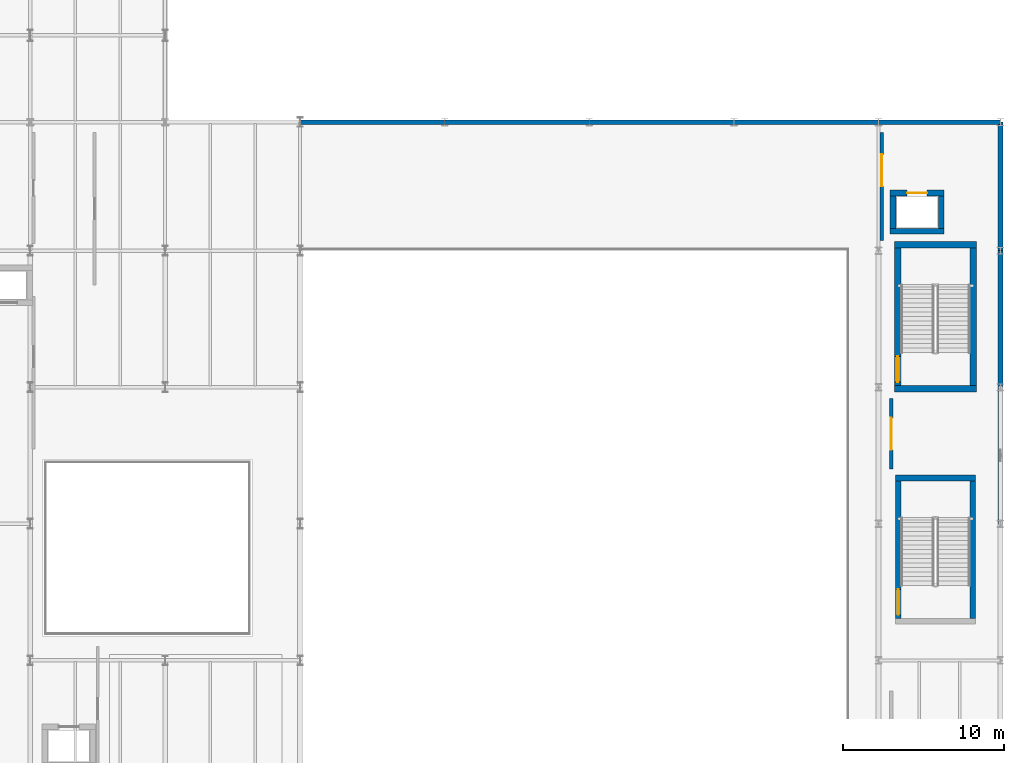
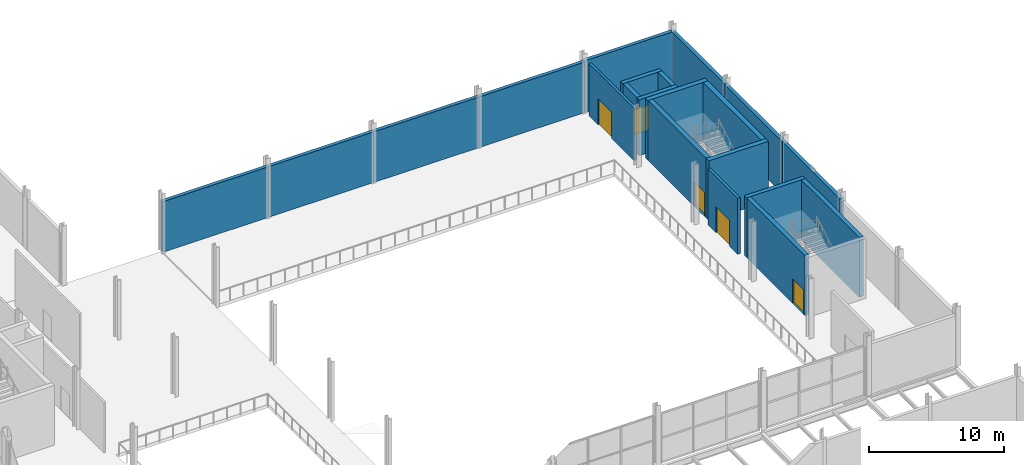
# One storey, part 59 of 78: 21 walls, 5 doors, 5 openings.
"""IFC4 building model written with IfcOpenShell, lengths in metres."""

from ifc_helpers import new_model, si_unit, direction, frame, frame_2d, origin, place, context, subcontext, project, spatial, rectangle, extrude, material, layer, layer_set, type_object, element, fill, save


model = new_model("IFC4")

# Units and contexts
model_context = context("Model", 3, precision=1e-05, world=origin(), true_north=direction((0.0, 1.0)))
body_context = subcontext(model_context, "Body", "Model", "MODEL_VIEW")
ifc_project = project(units=[si_unit("LENGTHUNIT", "METRE"), si_unit("AREAUNIT", "SQUARE_METRE"), si_unit("VOLUMEUNIT", "CUBIC_METRE"), si_unit("PLANEANGLEUNIT", "RADIAN"), si_unit("MASSUNIT", "GRAM", prefix="KILO")], contexts=[model_context])

# Site, building, storey
site_placement = place(None, origin())
site = spatial("IfcSite", under=ifc_project, at=site_placement, CompositionType="ELEMENT")
building_placement = place(site_placement, origin())
building = spatial("IfcBuilding", under=site, at=building_placement, Name="Sefraquen Railside Congress Hotel", CompositionType="ELEMENT")
storey_placement = place(building_placement, frame((0.0, 0.0, 6.0)))
storey = spatial("IfcBuildingStorey", under=building, at=storey_placement, Name="L01", CompositionType="ELEMENT", Elevation=6.0)

# Wall, opening, door
ifc_material_1 = material(Name="Acoustic double stud and gypsum board", Category="gypsum")
ifc_layer_1 = layer(ifc_material_1, 0.219970703125)
ifc_layer_set_1 = layer_set([ifc_layer_1], Name="Acoustic double stud and gypsum board")
wall_type_1 = type_object("IfcWallType", Name="TW-AW-220", PredefinedType="PARTITIONING", material=ifc_layer_set_1)
wall_1_placement = place(storey_placement, frame((164.60009765625, 88.64990234375, 0.0), z_axis=(0.0, 0.0, 1.0), x_axis=(0.0, 1.0, 0.0)))
wall_1 = element("IfcWall", 1, at=wall_1_placement, inside=storey, type_object=wall_type_1, Name="Ballroom VIP Viewing Salon enclosure wall", PredefinedType="PARTITIONING", context=body_context, shape_type="SweptSolid", body=[
    extrude(rectangle(XDim=6.7001953125, YDim=0.219970703125, at=frame_2d((3.35009765625, 0.0))), origin(), (0.0, 0.0, 1.0), 4.719970703125),
])
opening_1_placement = place(wall_1_placement, frame((3.35009765625, 0.0, 0.0)))
opening_1 = element("IfcOpeningElement", 2, at=opening_1_placement, cuts=wall_1, Name="Opening AD-02", PredefinedType="OPENING", context=body_context, shape_type="SweptSolid", body=[
    extrude(rectangle(XDim=2.0, YDim=2.35009765625, at=frame_2d((1.0, 1.175048828125))), frame((0.0, 0.119873046875, 0.0), z_axis=(0.0, -1.0, 0.0), x_axis=(1.0, 0.0, 0.0)), (0.0, 0.0, 1.0), 0.239990234375),
])
ifc_material_2 = material(Name="Acoustic Atlas cedar timber", Category="wood")
door_type_1 = type_object("IfcDoorType", Name="TD-AD-02", OperationType="NOTDEFINED", PredefinedType="DOOR", material=ifc_material_2)
door_1_placement = place(opening_1_placement, origin())
door_1 = element("IfcDoor", 3, at=door_1_placement, inside=storey, type_object=door_type_1, Name="Ballroom VIP Viewing Salon entrance door", OperationType="DOUBLE_SWING_LEFT", OverallHeight=2.35009765625, OverallWidth=2.0, PredefinedType="DOOR", context=body_context, shape_type="SweptSolid", body=[
    extrude(rectangle(XDim=2.0, YDim=2.35009765625, at=frame_2d((1.0, 1.175048828125))), frame((0.0, 0.02490234375, 0.0), z_axis=(0.0, -1.0, 0.0), x_axis=(1.0, 0.0, 0.0)), (0.0, 0.0, 1.0), 0.050048828125),
])
fill(opening_1, door_1)

wall_2_placement = place(storey_placement, frame((165.199951171875, 74.39990234375, 0.0), z_axis=(0.0, 0.0, 1.0), x_axis=(0.0, 1.0, 0.0)))
wall_2 = element("IfcWall", 4, at=wall_2_placement, inside=storey, type_object=wall_type_1, Name="Ballroom Audiovisual Control Room enclosure wall", PredefinedType="PARTITIONING", context=body_context, shape_type="SweptSolid", body=[
    extrude(rectangle(XDim=4.400146484375, YDim=0.219970703125, at=frame_2d((2.2001953125, 0.0))), origin(), (0.0, 0.0, 1.0), 5.050048828125),
])
opening_2_placement = place(wall_2_placement, frame((1.199951171875, 0.0, 0.0)))
opening_2 = element("IfcOpeningElement", 5, at=opening_2_placement, cuts=wall_2, Name="Opening AD-02", PredefinedType="OPENING", context=body_context, shape_type="SweptSolid", body=[
    extrude(rectangle(XDim=2.0, YDim=2.35009765625, at=frame_2d((1.0, 1.175048828125))), frame((0.0, 0.119873046875, 0.0), z_axis=(0.0, -1.0, 0.0), x_axis=(1.0, 0.0, 0.0)), (0.0, 0.0, 1.0), 0.239990234375),
])
door_2_placement = place(opening_2_placement, origin())
door_2 = element("IfcDoor", 6, at=door_2_placement, inside=storey, type_object=door_type_1, Name="Ballroom Audiovisual Control Room entrance door", OperationType="DOUBLE_SWING_LEFT", OverallHeight=2.35009765625, OverallWidth=2.0, PredefinedType="DOOR", context=body_context, shape_type="SweptSolid", body=[
    extrude(rectangle(XDim=2.0, YDim=2.35009765625, at=frame_2d((1.0, 1.175048828125))), frame((0.0, 0.02490234375, 0.0), z_axis=(0.0, -1.0, 0.0), x_axis=(1.0, 0.0, 0.0)), (0.0, 0.0, 1.0), 0.050048828125),
])
fill(opening_2, door_2)

# Wall
ifc_material_3 = material(Name="Concrete C50/60", Category="concrete")
ifc_layer_2 = layer(ifc_material_3, 0.35009765625)
ifc_layer_set_2 = layer_set([ifc_layer_2], Name="Concrete C50/60")
wall_type_2 = type_object("IfcWallType", Name="TW-CW-350", PredefinedType="SHEAR", material=ifc_layer_set_2)
wall_3_placement = place(storey_placement, frame((165.449951171875, 73.85498046875, 0.0), z_axis=(0.0, 0.0, 1.0), x_axis=(1.0, 0.0, 0.0)))
element("IfcWall", 7, at=wall_3_placement, inside=storey, type_object=wall_type_2, Name="Core shear wall ST-B02 N L01", PredefinedType="SHEAR", context=body_context, shape_type="SweptSolid", body=[
    extrude(rectangle(XDim=5.0, YDim=0.35009765625, at=frame_2d((2.5, 0.0))), origin(), (0.0, 0.0, 1.0), 5.39990234375),
])

# Wall, opening, door
wall_4_placement = place(storey_placement, frame((165.625, 65.10009765625, 0.0), z_axis=(0.0, 0.0, 1.0), x_axis=(0.0, 1.0, 0.0)))
wall_4 = element("IfcWall", 8, at=wall_4_placement, inside=storey, type_object=wall_type_2, Name="Core shear wall ST-B02 W L01", PredefinedType="SHEAR", context=body_context, shape_type="SweptSolid", body=[
    extrude(rectangle(XDim=8.579833984375, YDim=0.35009765625, at=frame_2d((4.2900390625, 0.0))), origin(), (0.0, 0.0, 1.0), 5.39990234375),
])
opening_3_placement = place(wall_4_placement, frame((0.22509765625, 0.0, 0.0)))
opening_3 = element("IfcOpeningElement", 9, at=opening_3_placement, cuts=wall_4, Name="Opening FD-02", PredefinedType="OPENING", context=body_context, shape_type="SweptSolid", body=[
    extrude(rectangle(XDim=1.60009765625, YDim=2.199951171875, at=frame_2d((0.800048828125, 1.10009765625))), frame((0.0, 0.18505859375, 0.0), z_axis=(0.0, -1.0, 0.0), x_axis=(1.0, 0.0, 0.0)), (0.0, 0.0, 1.0), 0.3701171875),
])
ifc_material_4 = material(Name="Fire-rated steel", Category="steel")
door_type_2 = type_object("IfcDoorType", Name="TD-FD-02", OperationType="NOTDEFINED", PredefinedType="DOOR", material=ifc_material_4)
door_3_placement = place(opening_3_placement, origin())
door_3 = element("IfcDoor", 10, at=door_3_placement, inside=storey, type_object=door_type_2, Name="Pressurized stair ST-B02 fire door L01", OperationType="SINGLE_SWING_LEFT", OverallHeight=2.199951171875, OverallWidth=1.60009765625, PredefinedType="DOOR", context=body_context, shape_type="SweptSolid", body=[
    extrude(rectangle(XDim=1.60009765625, YDim=2.199951171875, at=frame_2d((0.800048828125, 1.10009765625))), frame((0.0, 0.02490234375, 0.0), z_axis=(0.0, -1.0, 0.0), x_axis=(1.0, 0.0, 0.0)), (0.0, 0.0, 1.0), 0.050048828125),
])
fill(opening_3, door_3)

# Wall
wall_5_placement = place(storey_placement, frame((170.27490234375, 65.10009765625, 0.0), z_axis=(0.0, 0.0, 1.0), x_axis=(0.0, 1.0, 0.0)))
element("IfcWall", 11, at=wall_5_placement, inside=storey, type_object=wall_type_2, Name="Core shear wall ST-B02 E L01", PredefinedType="SHEAR", context=body_context, shape_type="SweptSolid", body=[
    extrude(rectangle(XDim=8.579833984375, YDim=0.35009765625, at=frame_2d((4.2900390625, 0.0))), origin(), (0.0, 0.0, 1.0), 5.39990234375),
])

# Wall, opening, door
wall_6_placement = place(storey_placement, frame((165.1298828125, 91.594970703125, 0.0), z_axis=(0.0, 0.0, 1.0), x_axis=(1.0, 0.0, 0.0)))
wall_6 = element("IfcWall", 12, at=wall_6_placement, inside=storey, type_object=wall_type_2, Name="Lift SL-02 shaft wall N L01", PredefinedType="SHEAR", context=body_context, shape_type="SweptSolid", body=[
    extrude(rectangle(XDim=3.340087890625, YDim=0.35009765625, at=frame_2d((1.669921875, 0.0))), origin(), (0.0, 0.0, 1.0), 5.050048828125),
])
opening_4_placement = place(wall_6_placement, frame((1.044921875, 0.0, 0.0)))
opening_4 = element("IfcOpeningElement", 13, at=opening_4_placement, cuts=wall_6, Name="Opening LD-02", PredefinedType="OPENING", context=body_context, shape_type="SweptSolid", body=[
    extrude(rectangle(XDim=1.25, YDim=2.25, at=frame_2d((0.625, 1.125))), frame((0.0, 0.18505859375, 0.0), z_axis=(0.0, -1.0, 0.0), x_axis=(1.0, 0.0, 0.0)), (0.0, 0.0, 1.0), 0.3701171875),
])
ifc_material_5 = material(Name="Brushed stainless steel", Category="steel")
door_type_3 = type_object("IfcDoorType", Name="TD-LD-02", OperationType="NOTDEFINED", PredefinedType="DOOR", material=ifc_material_5)
door_4_placement = place(opening_4_placement, origin())
door_4 = element("IfcDoor", 14, at=door_4_placement, inside=storey, type_object=door_type_3, Name="Lift landing door SL-02 L01", OperationType="SLIDING_TO_LEFT", OverallHeight=2.25, OverallWidth=1.25, PredefinedType="DOOR", context=body_context, shape_type="SweptSolid", body=[
    extrude(rectangle(XDim=1.25, YDim=2.25, at=frame_2d((0.625, 1.125))), frame((0.0, 0.02490234375, 0.0), z_axis=(0.0, -1.0, 0.0), x_axis=(1.0, 0.0, 0.0)), (0.0, 0.0, 1.0), 0.050048828125),
])
fill(opening_4, door_4)

# Walls
wall_7_placement = place(storey_placement, frame((165.1298828125, 89.205078125, 0.0), z_axis=(0.0, 0.0, 1.0), x_axis=(1.0, 0.0, 0.0)))
element("IfcWall", 15, at=wall_7_placement, inside=storey, type_object=wall_type_2, Name="Lift SL-02 shaft wall S L01", PredefinedType="SHEAR", context=body_context, shape_type="SweptSolid", body=[
    extrude(rectangle(XDim=3.340087890625, YDim=0.35009765625, at=frame_2d((1.669921875, 0.0))), origin(), (0.0, 0.0, 1.0), 5.050048828125),
])
for number, where, z_axis, x_axis, name in (
    (16, (165.304931640625, 89.3798828125, 0.0), (0.0, 0.0, 1.0), (0.0, 1.0, 0.0), "Lift SL-02 shaft wall W L01"),
    (17, (168.294921875, 89.3798828125, 0.0), (0.0, 0.0, 1.0), (0.0, 1.0, 0.0), "Lift SL-02 shaft wall E L01"),
):
    element("IfcWall", number, at=place(storey_placement, frame(where, z_axis=z_axis, x_axis=x_axis)), inside=storey, type_object=wall_type_2, Name=name, PredefinedType="SHEAR", context=body_context, shape_type="SweptSolid", body=[
        extrude(rectangle(XDim=2.0400390625, YDim=0.35009765625, at=frame_2d((1.02001953125, 0.0))), origin(), (0.0, 0.0, 1.0), 5.050048828125),
    ])
ifc_layer_3 = layer(ifc_material_3, 0.39990234375)
ifc_layer_set_3 = layer_set([ifc_layer_3], Name="Concrete C50/60")
wall_type_3 = type_object("IfcWallType", Name="TW-CW-400", PredefinedType="SHEAR", material=ifc_layer_set_3)
for number, where, z_axis, x_axis, name in (
    (18, (165.39990234375, 88.3798828125, 0.0), (0.0, 0.0, 1.0), (1.0, 0.0, 0.0), "Core shear wall ST-B01 N L01"),
    (19, (165.39990234375, 79.39990234375, 0.0), (0.0, 0.0, 1.0), (1.0, 0.0, 0.0), "Core shear wall ST-B01 S L01"),
):
    element("IfcWall", number, at=place(storey_placement, frame(where, z_axis=z_axis, x_axis=x_axis)), inside=storey, type_object=wall_type_3, Name=name, PredefinedType="SHEAR", context=body_context, shape_type="SweptSolid", body=[
        extrude(rectangle(XDim=5.10009765625, YDim=0.39990234375, at=frame_2d((2.550048828125, 0.0))), origin(), (0.0, 0.0, 1.0), 5.39990234375),
    ])

# Wall, opening, door
wall_8_placement = place(storey_placement, frame((165.60009765625, 79.60009765625, 0.0), z_axis=(0.0, 0.0, 1.0), x_axis=(0.0, 1.0, 0.0)))
wall_8 = element("IfcWall", 20, at=wall_8_placement, inside=storey, type_object=wall_type_3, Name="Core shear wall ST-B01 W L01", PredefinedType="SHEAR", context=body_context, shape_type="SweptSolid", body=[
    extrude(rectangle(XDim=8.579833984375, YDim=0.39990234375, at=frame_2d((4.2900390625, 0.0))), origin(), (0.0, 0.0, 1.0), 5.39990234375),
])
opening_5_placement = place(wall_8_placement, frame((0.22509765625, 0.0, 0.0)))
opening_5 = element("IfcOpeningElement", 21, at=opening_5_placement, cuts=wall_8, Name="Opening FD-02", PredefinedType="OPENING", context=body_context, shape_type="SweptSolid", body=[
    extrude(rectangle(XDim=1.60009765625, YDim=2.199951171875, at=frame_2d((0.800048828125, 1.10009765625))), frame((0.0, 0.2099609375, 0.0), z_axis=(0.0, -1.0, 0.0), x_axis=(1.0, 0.0, 0.0)), (0.0, 0.0, 1.0), 0.419921875),
])
door_5_placement = place(opening_5_placement, origin())
door_5 = element("IfcDoor", 22, at=door_5_placement, inside=storey, type_object=door_type_2, Name="Pressurized stair ST-B01 fire door L01", OperationType="SINGLE_SWING_LEFT", OverallHeight=2.199951171875, OverallWidth=1.60009765625, PredefinedType="DOOR", context=body_context, shape_type="SweptSolid", body=[
    extrude(rectangle(XDim=1.60009765625, YDim=2.199951171875, at=frame_2d((0.800048828125, 1.10009765625))), frame((0.0, 0.02490234375, 0.0), z_axis=(0.0, -1.0, 0.0), x_axis=(1.0, 0.0, 0.0)), (0.0, 0.0, 1.0), 0.050048828125),
])
fill(opening_5, door_5)

# Walls
wall_9_placement = place(storey_placement, frame((170.300048828125, 79.60009765625, 0.0), z_axis=(0.0, 0.0, 1.0), x_axis=(0.0, 1.0, 0.0)))
element("IfcWall", 23, at=wall_9_placement, inside=storey, type_object=wall_type_3, Name="Core shear wall ST-B01 E L01", PredefinedType="SHEAR", context=body_context, shape_type="SweptSolid", body=[
    extrude(rectangle(XDim=8.579833984375, YDim=0.39990234375, at=frame_2d((4.2900390625, 0.0))), origin(), (0.0, 0.0, 1.0), 5.39990234375),
])
ifc_material_6 = material(Name="Ochre Rabat calcarenite limestone and Concrete C40/50 backing", Category="masonry")
ifc_layer_4 = layer(ifc_material_6, 0.300048828125)
ifc_layer_set_4 = layer_set([ifc_layer_4], Name="Ochre Rabat calcarenite limestone and Concrete C40/50 backing")
wall_type_4 = type_object("IfcWallType", Name="TW-EW-300", PredefinedType="STANDARD", material=ifc_layer_set_4)
for number, where, z_axis, x_axis, name in (
    (24, (128.39990234375, 96.0, 0.0), (0.0, 0.0, 1.0), (1.0, 0.0, 0.0), "Grand Ballroom L01 N facade wall 1"),
    (25, (137.39990234375, 96.0, 0.0), (0.0, 0.0, 1.0), (1.0, 0.0, 0.0), "Grand Ballroom L01 N facade wall 2"),
    (26, (146.39990234375, 96.0, 0.0), (0.0, 0.0, 1.0), (1.0, 0.0, 0.0), "Grand Ballroom L01 N facade wall 3"),
    (27, (155.39990234375, 96.0, 0.0), (0.0, 0.0, 1.0), (1.0, 0.0, 0.0), "Grand Ballroom L01 N facade wall 4"),
):
    element("IfcWall", number, at=place(storey_placement, frame(where, z_axis=z_axis, x_axis=x_axis)), inside=storey, type_object=wall_type_4, Name=name, PredefinedType="STANDARD", context=body_context, shape_type="SweptSolid", body=[
        extrude(rectangle(XDim=9.0, YDim=0.300048828125, at=frame_2d((4.5, 0.0))), origin(), (0.0, 0.0, 1.0), 4.570068359375),
    ])
wall_10_placement = place(storey_placement, frame((164.39990234375, 96.0, 0.0), z_axis=(0.0, 0.0, 1.0), x_axis=(1.0, 0.0, 0.0)))
element("IfcWall", 28, at=wall_10_placement, inside=storey, type_object=wall_type_4, Name="Grand Ballroom L01 N facade wall 5", PredefinedType="STANDARD", context=body_context, shape_type="SweptSolid", body=[
    extrude(rectangle(XDim=7.60009765625, YDim=0.300048828125, at=frame_2d((3.800048828125, 0.0))), origin(), (0.0, 0.0, 1.0), 4.669921875),
])
for number, where, z_axis, x_axis, name in (
    (29, (172.0, 71.0, 0.0), (0.0, 0.0, 1.0), (0.0, 1.0, 0.0), "Grand Ballroom L01 east service facade wall 2"),
    (30, (172.0, 79.5, 0.0), (0.0, 0.0, 1.0), (0.0, 1.0, 0.0), "Grand Ballroom L01 east service facade wall 3"),
):
    element("IfcWall", number, at=place(storey_placement, frame(where, z_axis=z_axis, x_axis=x_axis)), inside=storey, type_object=wall_type_4, Name=name, PredefinedType="STANDARD", context=body_context, shape_type="SweptSolid", body=[
        extrude(rectangle(XDim=8.5, YDim=0.300048828125, at=frame_2d((4.25, 0.0))), origin(), (0.0, 0.0, 1.0), 4.679931640625),
    ])
wall_11_placement = place(storey_placement, frame((172.0, 88.0, 0.0), z_axis=(0.0, 0.0, 1.0), x_axis=(0.0, 1.0, 0.0)))
element("IfcWall", 31, at=wall_11_placement, inside=storey, type_object=wall_type_4, Name="Grand Ballroom L01 east service facade wall 4", PredefinedType="STANDARD", context=body_context, shape_type="SweptSolid", body=[
    extrude(rectangle(XDim=8.0, YDim=0.300048828125, at=frame_2d((4.0, 0.0))), origin(), (0.0, 0.0, 1.0), 4.719970703125),
])

save(model, "model.ifc")
